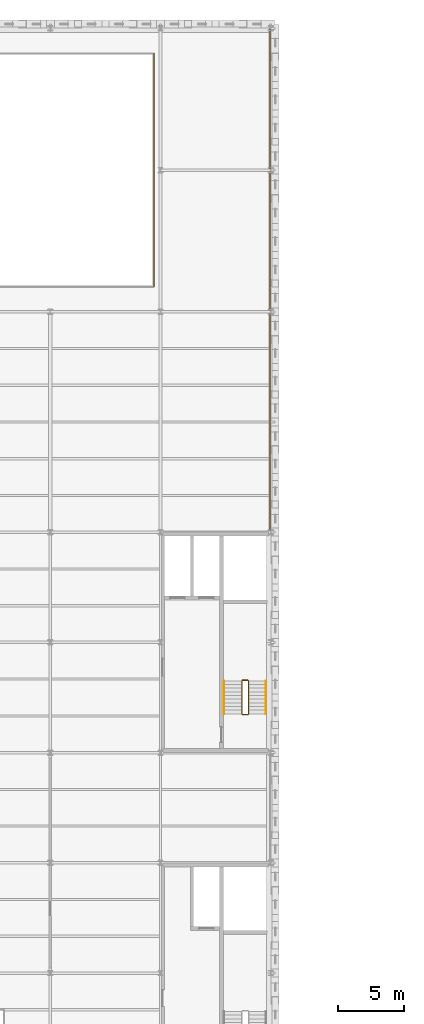
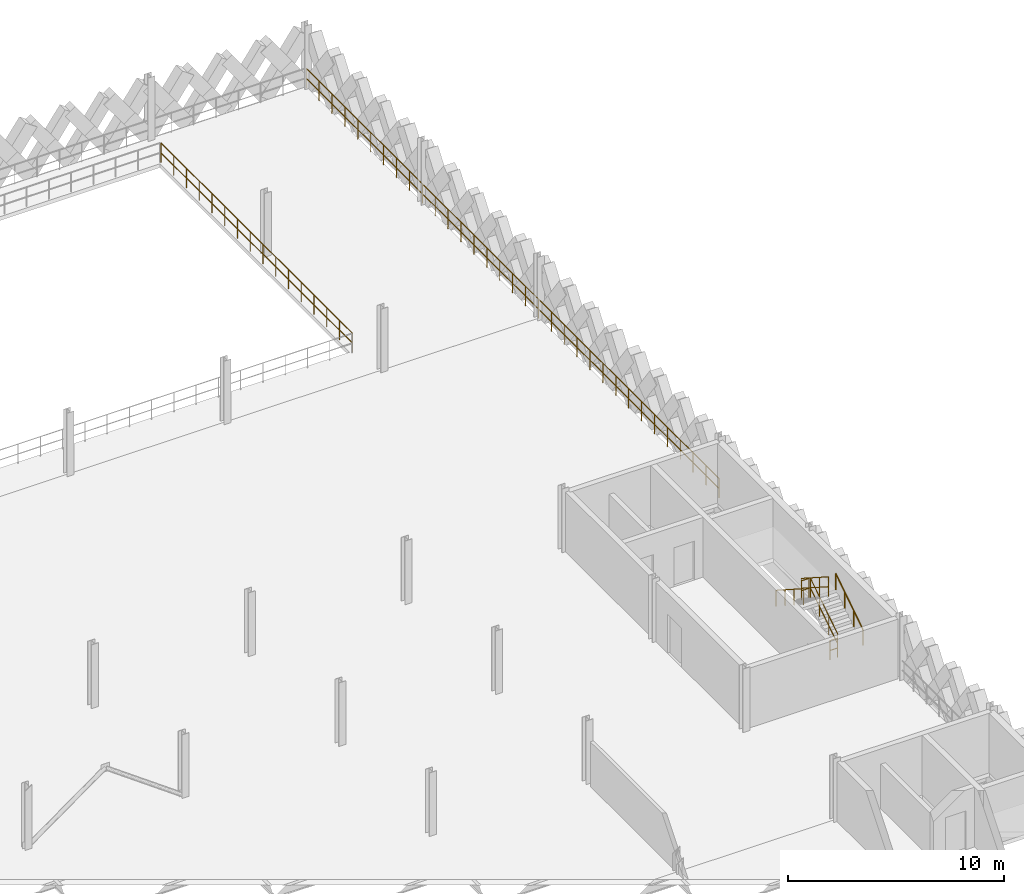
# One storey, part 61 of 62: 8 railings.
"""IFC4 building model written with IfcOpenShell, lengths in metres."""

from ifc_helpers import new_model, si_unit, direction, frame, origin, origin_2d, place, context, subcontext, project, spatial, circle, extrude, material, type_object, element, save


model = new_model("IFC4")

# Units and contexts
model_context = context("Model", 3, precision=1e-05, world=origin(), true_north=direction((0.0, 1.0)))
body_context = subcontext(model_context, "Body", "Model", "MODEL_VIEW")
ifc_project = project(units=[si_unit("LENGTHUNIT", "METRE"), si_unit("AREAUNIT", "SQUARE_METRE"), si_unit("VOLUMEUNIT", "CUBIC_METRE"), si_unit("PLANEANGLEUNIT", "RADIAN"), si_unit("MASSUNIT", "GRAM", prefix="KILO"), si_unit("THERMODYNAMICTEMPERATUREUNIT", "KELVIN"), si_unit("POWERUNIT", "WATT")], contexts=[model_context])

# Site, building, storey
site_placement = place(None, origin())
site = spatial("IfcSite", under=ifc_project, at=site_placement, CompositionType="ELEMENT")
building_placement = place(site_placement, origin())
building = spatial("IfcBuilding", under=site, at=building_placement, Name="Tembeka Court Mobility Hub", CompositionType="ELEMENT")
storey_placement = place(building_placement, frame((0.0, 0.0, 16.199951171875)))
storey = spatial("IfcBuildingStorey", under=building, at=storey_placement, Name="L04", CompositionType="ELEMENT", Elevation=16.199951171875)

# Railings
ifc_material_1 = material(Name="Painted galvanised steel balustrade", Category="steel")
railing_type_1 = type_object("IfcRailingType", Name="RL-GR01", PredefinedType="GUARDRAIL", material=ifc_material_1)
railing_1_placement = place(storey_placement, frame((83.5, 99.1298828125, 0.0)))
element("IfcRailing", 1, at=railing_1_placement, inside=storey, type_object=railing_type_1, Name="Perimeter guard GR01-0144", PredefinedType="GUARDRAIL", context=body_context, shape_type="SweptSolid", body=[
    extrude(circle(Radius=0.02392578125, at=origin_2d()), frame((0.0, 0.0, 1.09619140625), z_axis=(0.0, 1.0, 0.0), x_axis=(-1.0, 0.0, 0.0)), (0.0, 0.0, 1.0), 17.740234375),
    extrude(circle(Radius=0.02392578125, at=origin_2d()), frame((0.0, 0.0, 0.5361328125), z_axis=(0.0, 1.0, 0.0), x_axis=(-1.0, 0.0, 0.0)), (0.0, 0.0, 1.0), 17.740234375),
    extrude(circle(Radius=0.02099609375, at=origin_2d()), origin(), (0.0, 0.0, 1.0), 1.072021484375),
    extrude(circle(Radius=0.02099609375, at=origin_2d()), frame((0.0, 1.1826171875, 0.0)), (0.0, 0.0, 1.0), 1.072021484375),
    extrude(circle(Radius=0.02099609375, at=origin_2d()), frame((0.0, 2.365478515625, 0.0)), (0.0, 0.0, 1.0), 1.072021484375),
    extrude(circle(Radius=0.02099609375, at=origin_2d()), frame((0.0, 3.548095703125, 0.0)), (0.0, 0.0, 1.0), 1.072021484375),
    extrude(circle(Radius=0.02099609375, at=origin_2d()), frame((0.0, 4.730712890625, 0.0)), (0.0, 0.0, 1.0), 1.072021484375),
    extrude(circle(Radius=0.02099609375, at=origin_2d()), frame((0.0, 5.913330078125, 0.0)), (0.0, 0.0, 1.0), 1.072021484375),
    extrude(circle(Radius=0.02099609375, at=origin_2d()), frame((0.0, 7.09619140625, 0.0)), (0.0, 0.0, 1.0), 1.072021484375),
    extrude(circle(Radius=0.02099609375, at=origin_2d()), frame((0.0, 8.27880859375, 0.0)), (0.0, 0.0, 1.0), 1.072021484375),
    extrude(circle(Radius=0.02099609375, at=origin_2d()), frame((0.0, 9.46142578125, 0.0)), (0.0, 0.0, 1.0), 1.072021484375),
    extrude(circle(Radius=0.02099609375, at=origin_2d()), frame((0.0, 10.64404296875, 0.0)), (0.0, 0.0, 1.0), 1.072021484375),
    extrude(circle(Radius=0.02099609375, at=origin_2d()), frame((0.0, 11.826904296875, 0.0)), (0.0, 0.0, 1.0), 1.072021484375),
    extrude(circle(Radius=0.02099609375, at=origin_2d()), frame((0.0, 13.009521484375, 0.0)), (0.0, 0.0, 1.0), 1.072021484375),
    extrude(circle(Radius=0.02099609375, at=origin_2d()), frame((0.0, 14.192138671875, 0.0)), (0.0, 0.0, 1.0), 1.072021484375),
    extrude(circle(Radius=0.02099609375, at=origin_2d()), frame((0.0, 15.374755859375, 0.0)), (0.0, 0.0, 1.0), 1.072021484375),
    extrude(circle(Radius=0.02099609375, at=origin_2d()), frame((0.0, 16.5576171875, 0.0)), (0.0, 0.0, 1.0), 1.072021484375),
    extrude(circle(Radius=0.02099609375, at=origin_2d()), frame((0.0, 17.740234375, 0.0)), (0.0, 0.0, 1.0), 1.072021484375),
])
railing_2_placement = place(storey_placement, frame((90.699951171875, 66.550048828125, 0.179931640625)))
element("IfcRailing", 2, at=railing_2_placement, inside=storey, type_object=railing_type_1, Name="L04 ST02 stair guard 1-1", PredefinedType="GUARDRAIL", context=body_context, shape_type="SweptSolid", body=[
    extrude(circle(Radius=0.02392578125, at=origin_2d()), frame((0.0, 0.0, 1.09619140625), z_axis=(0.0, 0.841162588446, 0.540782303519), x_axis=(-1.0, 0.0, 0.0)), (0.0, 0.0, 1.0), 2.995849609375),
    extrude(circle(Radius=0.02392578125, at=origin_2d()), frame((0.0, 0.0, 0.5361328125), z_axis=(0.0, 0.841162588446, 0.540782303519), x_axis=(-1.0, 0.0, 0.0)), (0.0, 0.0, 1.0), 2.995849609375),
    extrude(circle(Radius=0.02099609375, at=origin_2d()), origin(), (0.0, 0.0, 1.0), 1.072021484375),
    extrude(circle(Radius=0.02099609375, at=origin_2d()), frame((0.0, 0.840087890625, 0.5400390625)), (0.0, 0.0, 1.0), 1.072021484375),
    extrude(circle(Radius=0.02099609375, at=origin_2d()), frame((0.0, 1.679931640625, 1.080078125)), (0.0, 0.0, 1.0), 1.072021484375),
    extrude(circle(Radius=0.02099609375, at=origin_2d()), frame((0.0, 2.52001953125, 1.6201171875)), (0.0, 0.0, 1.0), 1.072021484375),
])
railing_3_placement = place(storey_placement, frame((90.64990234375, 69.1201171875, 1.800048828125)))
element("IfcRailing", 3, at=railing_3_placement, inside=storey, type_object=railing_type_1, Name="L04 ST02 stair guard 2-1", PredefinedType="GUARDRAIL", context=body_context, shape_type="SweptSolid", body=[
    extrude(circle(Radius=0.02392578125, at=origin_2d()), frame((0.0, 0.0, 1.09619140625), z_axis=(-1.0, 0.0, 0.0), x_axis=(0.0, -1.0, 0.0)), (0.0, 0.0, 1.0), 0.39990234375),
    extrude(circle(Radius=0.02392578125, at=origin_2d()), frame((0.0, 0.0, 0.5361328125), z_axis=(-1.0, 0.0, 0.0), x_axis=(0.0, -1.0, 0.0)), (0.0, 0.0, 1.0), 0.39990234375),
    extrude(circle(Radius=0.02099609375, at=origin_2d()), origin(), (0.0, 0.0, 1.0), 1.072021484375),
    extrude(circle(Radius=0.02099609375, at=origin_2d()), frame((-0.39990234375, 0.0, 0.0)), (0.0, 0.0, 1.0), 1.072021484375),
])
railing_4_placement = place(storey_placement, frame((90.199951171875, 69.070068359375, 1.97998046875)))
element("IfcRailing", 4, at=railing_4_placement, inside=storey, type_object=railing_type_1, Name="L04 ST02 stair guard 3-1", PredefinedType="GUARDRAIL", context=body_context, shape_type="SweptSolid", body=[
    extrude(circle(Radius=0.02392578125, at=origin_2d()), frame((0.0, 0.0, 1.09619140625), z_axis=(0.0, -0.841162588446, 0.540782303519), x_axis=(1.0, 0.0, 0.0)), (0.0, 0.0, 1.0), 2.995849609375),
    extrude(circle(Radius=0.02392578125, at=origin_2d()), frame((0.0, 0.0, 0.5361328125), z_axis=(0.0, -0.841162588446, 0.540782303519), x_axis=(1.0, 0.0, 0.0)), (0.0, 0.0, 1.0), 2.995849609375),
    extrude(circle(Radius=0.02099609375, at=origin_2d()), origin(), (0.0, 0.0, 1.0), 1.072021484375),
    extrude(circle(Radius=0.02099609375, at=origin_2d()), frame((0.0, -0.840087890625, 0.5400390625)), (0.0, 0.0, 1.0), 1.072021484375),
    extrude(circle(Radius=0.02099609375, at=origin_2d()), frame((0.0, -1.679931640625, 1.080078125)), (0.0, 0.0, 1.0), 1.072021484375),
    extrude(circle(Radius=0.02099609375, at=origin_2d()), frame((0.0, -2.52001953125, 1.6201171875)), (0.0, 0.0, 1.0), 1.072021484375),
])
railing_5_placement = place(storey_placement, frame((90.64990234375, 66.5, 0.0)))
element("IfcRailing", 5, at=railing_5_placement, inside=storey, type_object=railing_type_1, Name="L04 ST02 stair guard 4-1", PredefinedType="GUARDRAIL", context=body_context, shape_type="SweptSolid", body=[
    extrude(circle(Radius=0.02392578125, at=origin_2d()), frame((0.0, 0.0, 1.09619140625), z_axis=(-1.0, 0.0, 0.0), x_axis=(0.0, -1.0, 0.0)), (0.0, 0.0, 1.0), 0.39990234375),
    extrude(circle(Radius=0.02392578125, at=origin_2d()), frame((0.0, 0.0, 0.5361328125), z_axis=(-1.0, 0.0, 0.0), x_axis=(0.0, -1.0, 0.0)), (0.0, 0.0, 1.0), 0.39990234375),
    extrude(circle(Radius=0.02099609375, at=origin_2d()), origin(), (0.0, 0.0, 1.0), 1.072021484375),
    extrude(circle(Radius=0.02099609375, at=origin_2d()), frame((-0.39990234375, 0.0, 0.0)), (0.0, 0.0, 1.0), 1.072021484375),
])
railing_type_2 = type_object("IfcRailingType", Name="RL-GR02", PredefinedType="GUARDRAIL", material=ifc_material_1)
railing_6_placement = place(storey_placement, frame((92.35009765625, 80.429931640625, 0.0)))
element("IfcRailing", 6, at=railing_6_placement, inside=storey, type_object=railing_type_2, Name="Perimeter guard GR02-0154", PredefinedType="GUARDRAIL", context=body_context, shape_type="SweptSolid", body=[
    extrude(circle(Radius=0.02392578125, at=origin_2d()), frame((0.0, 0.0, 1.09619140625), z_axis=(0.0, 1.0, 0.0), x_axis=(-1.0, 0.0, 0.0)), (0.0, 0.0, 1.0), 38.2900390625),
    extrude(circle(Radius=0.02392578125, at=origin_2d()), frame((0.0, 0.0, 0.5361328125), z_axis=(0.0, 1.0, 0.0), x_axis=(-1.0, 0.0, 0.0)), (0.0, 0.0, 1.0), 38.2900390625),
    extrude(circle(Radius=0.02099609375, at=origin_2d()), origin(), (0.0, 0.0, 1.0), 1.072021484375),
    extrude(circle(Radius=0.02099609375, at=origin_2d()), frame((0.0, 1.196533203125, 0.0)), (0.0, 0.0, 1.0), 1.072021484375),
    extrude(circle(Radius=0.02099609375, at=origin_2d()), frame((0.0, 2.39306640625, 0.0)), (0.0, 0.0, 1.0), 1.072021484375),
    extrude(circle(Radius=0.02099609375, at=origin_2d()), frame((0.0, 3.589599609375, 0.0)), (0.0, 0.0, 1.0), 1.072021484375),
    extrude(circle(Radius=0.02099609375, at=origin_2d()), frame((0.0, 4.7861328125, 0.0)), (0.0, 0.0, 1.0), 1.072021484375),
    extrude(circle(Radius=0.02099609375, at=origin_2d()), frame((0.0, 5.98291015625, 0.0)), (0.0, 0.0, 1.0), 1.072021484375),
    extrude(circle(Radius=0.02099609375, at=origin_2d()), frame((0.0, 7.179443359375, 0.0)), (0.0, 0.0, 1.0), 1.072021484375),
    extrude(circle(Radius=0.02099609375, at=origin_2d()), frame((0.0, 8.3759765625, 0.0)), (0.0, 0.0, 1.0), 1.072021484375),
    extrude(circle(Radius=0.02099609375, at=origin_2d()), frame((0.0, 9.572509765625, 0.0)), (0.0, 0.0, 1.0), 1.072021484375),
    extrude(circle(Radius=0.02099609375, at=origin_2d()), frame((0.0, 10.76904296875, 0.0)), (0.0, 0.0, 1.0), 1.072021484375),
    extrude(circle(Radius=0.02099609375, at=origin_2d()), frame((0.0, 11.965576171875, 0.0)), (0.0, 0.0, 1.0), 1.072021484375),
    extrude(circle(Radius=0.02099609375, at=origin_2d()), frame((0.0, 13.162109375, 0.0)), (0.0, 0.0, 1.0), 1.072021484375),
    extrude(circle(Radius=0.02099609375, at=origin_2d()), frame((0.0, 14.35888671875, 0.0)), (0.0, 0.0, 1.0), 1.072021484375),
    extrude(circle(Radius=0.02099609375, at=origin_2d()), frame((0.0, 15.555419921875, 0.0)), (0.0, 0.0, 1.0), 1.072021484375),
    extrude(circle(Radius=0.02099609375, at=origin_2d()), frame((0.0, 16.751953125, 0.0)), (0.0, 0.0, 1.0), 1.072021484375),
    extrude(circle(Radius=0.02099609375, at=origin_2d()), frame((0.0, 17.948486328125, 0.0)), (0.0, 0.0, 1.0), 1.072021484375),
    extrude(circle(Radius=0.02099609375, at=origin_2d()), frame((0.0, 19.14501953125, 0.0)), (0.0, 0.0, 1.0), 1.072021484375),
    extrude(circle(Radius=0.02099609375, at=origin_2d()), frame((0.0, 20.341552734375, 0.0)), (0.0, 0.0, 1.0), 1.072021484375),
    extrude(circle(Radius=0.02099609375, at=origin_2d()), frame((0.0, 21.5380859375, 0.0)), (0.0, 0.0, 1.0), 1.072021484375),
    extrude(circle(Radius=0.02099609375, at=origin_2d()), frame((0.0, 22.734619140625, 0.0)), (0.0, 0.0, 1.0), 1.072021484375),
    extrude(circle(Radius=0.02099609375, at=origin_2d()), frame((0.0, 23.93115234375, 0.0)), (0.0, 0.0, 1.0), 1.072021484375),
    extrude(circle(Radius=0.02099609375, at=origin_2d()), frame((0.0, 25.1279296875, 0.0)), (0.0, 0.0, 1.0), 1.072021484375),
    extrude(circle(Radius=0.02099609375, at=origin_2d()), frame((0.0, 26.324462890625, 0.0)), (0.0, 0.0, 1.0), 1.072021484375),
    extrude(circle(Radius=0.02099609375, at=origin_2d()), frame((0.0, 27.52099609375, 0.0)), (0.0, 0.0, 1.0), 1.072021484375),
    extrude(circle(Radius=0.02099609375, at=origin_2d()), frame((0.0, 28.717529296875, 0.0)), (0.0, 0.0, 1.0), 1.072021484375),
    extrude(circle(Radius=0.02099609375, at=origin_2d()), frame((0.0, 29.9140625, 0.0)), (0.0, 0.0, 1.0), 1.072021484375),
    extrude(circle(Radius=0.02099609375, at=origin_2d()), frame((0.0, 31.110595703125, 0.0)), (0.0, 0.0, 1.0), 1.072021484375),
    extrude(circle(Radius=0.02099609375, at=origin_2d()), frame((0.0, 32.30712890625, 0.0)), (0.0, 0.0, 1.0), 1.072021484375),
    extrude(circle(Radius=0.02099609375, at=origin_2d()), frame((0.0, 33.50390625, 0.0)), (0.0, 0.0, 1.0), 1.072021484375),
    extrude(circle(Radius=0.02099609375, at=origin_2d()), frame((0.0, 34.700439453125, 0.0)), (0.0, 0.0, 1.0), 1.072021484375),
    extrude(circle(Radius=0.02099609375, at=origin_2d()), frame((0.0, 35.89697265625, 0.0)), (0.0, 0.0, 1.0), 1.072021484375),
    extrude(circle(Radius=0.02099609375, at=origin_2d()), frame((0.0, 37.093505859375, 0.0)), (0.0, 0.0, 1.0), 1.072021484375),
    extrude(circle(Radius=0.02099609375, at=origin_2d()), frame((0.0, 38.2900390625, 0.0)), (0.0, 0.0, 1.0), 1.072021484375),
])
ifc_material_2 = material(Name="Brushed stainless steel handrail", Category="steel")
railing_type_3 = type_object("IfcRailingType", Name="RL-HR01", PredefinedType="HANDRAIL", material=ifc_material_2)
railing_7_placement = place(storey_placement, frame((92.050048828125, 66.550048828125, 0.179931640625)))
element("IfcRailing", 7, at=railing_7_placement, inside=storey, type_object=railing_type_3, Name="L04 ST02 handrail 1-1", PredefinedType="HANDRAIL", context=body_context, shape_type="SweptSolid", body=[
    extrude(circle(Radius=0.02392578125, at=origin_2d()), frame((0.0, 0.0, 0.89599609375), z_axis=(0.0, 0.841162588446, 0.540782303519), x_axis=(-1.0, 0.0, 0.0)), (0.0, 0.0, 1.0), 2.995849609375),
    extrude(circle(Radius=0.02099609375, at=origin_2d()), origin(), (0.0, 0.0, 1.0), 0.871826171875),
    extrude(circle(Radius=0.02099609375, at=origin_2d()), frame((0.0, 0.840087890625, 0.5400390625)), (0.0, 0.0, 1.0), 0.871826171875),
    extrude(circle(Radius=0.02099609375, at=origin_2d()), frame((0.0, 1.679931640625, 1.080078125)), (0.0, 0.0, 1.0), 0.871826171875),
    extrude(circle(Radius=0.02099609375, at=origin_2d()), frame((0.0, 2.52001953125, 1.6201171875)), (0.0, 0.0, 1.0), 0.871826171875),
])
railing_8_placement = place(storey_placement, frame((88.85009765625, 69.070068359375, 1.97998046875)))
element("IfcRailing", 8, at=railing_8_placement, inside=storey, type_object=railing_type_3, Name="L04 ST02 handrail 2-1", PredefinedType="HANDRAIL", context=body_context, shape_type="SweptSolid", body=[
    extrude(circle(Radius=0.02392578125, at=origin_2d()), frame((0.0, 0.0, 0.89599609375), z_axis=(0.0, -0.841162588446, 0.540782303519), x_axis=(1.0, 0.0, 0.0)), (0.0, 0.0, 1.0), 2.995849609375),
    extrude(circle(Radius=0.02099609375, at=origin_2d()), origin(), (0.0, 0.0, 1.0), 0.871826171875),
    extrude(circle(Radius=0.02099609375, at=origin_2d()), frame((0.0, -0.840087890625, 0.5400390625)), (0.0, 0.0, 1.0), 0.871826171875),
    extrude(circle(Radius=0.02099609375, at=origin_2d()), frame((0.0, -1.679931640625, 1.080078125)), (0.0, 0.0, 1.0), 0.871826171875),
    extrude(circle(Radius=0.02099609375, at=origin_2d()), frame((0.0, -2.52001953125, 1.6201171875)), (0.0, 0.0, 1.0), 0.871826171875),
])

save(model, "model.ifc")
